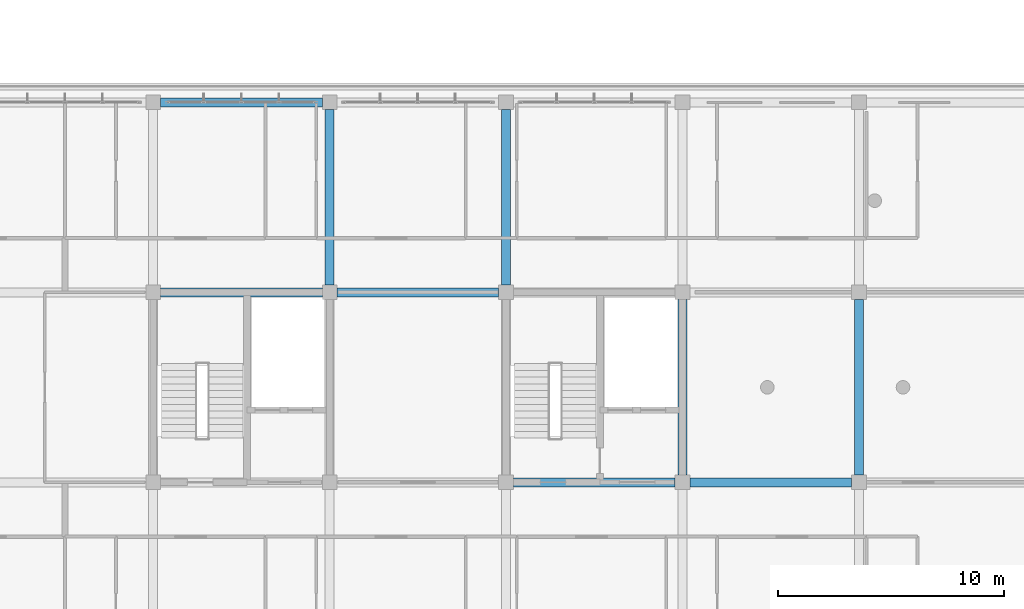
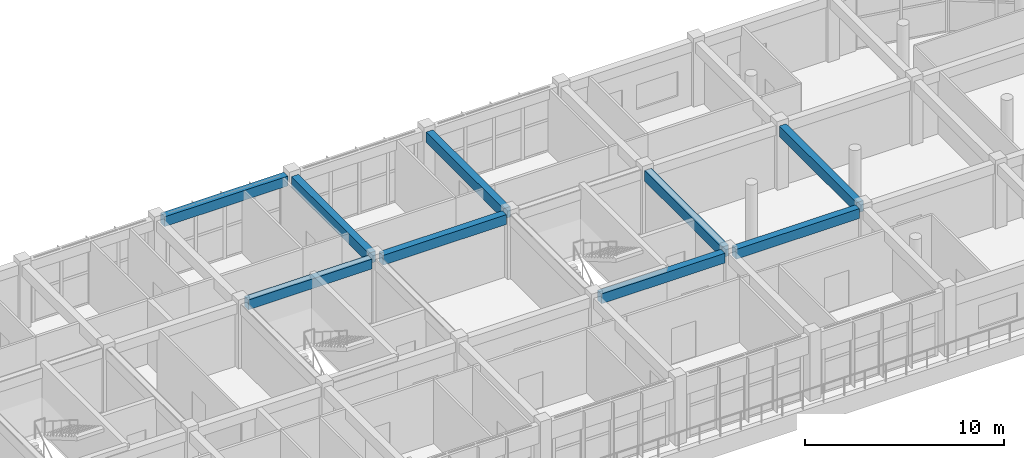
# One storey, part 24 of 57: 9 beams.
"""IFC4 building model written with IfcOpenShell, lengths in metres."""

from ifc_helpers import new_model, si_unit, direction, frame, origin, origin_2d, place, context, subcontext, project, spatial, rectangle, extrude, material, material_profile, profile_set, type_object, element, save


model = new_model("IFC4")

# Units and contexts
model_context = context("Model", 3, precision=1e-05, world=origin(), true_north=direction((0.0, 1.0)))
body_context = subcontext(model_context, "Body", "Model", "MODEL_VIEW")
ifc_project = project(units=[si_unit("LENGTHUNIT", "METRE"), si_unit("AREAUNIT", "SQUARE_METRE"), si_unit("VOLUMEUNIT", "CUBIC_METRE"), si_unit("PLANEANGLEUNIT", "RADIAN"), si_unit("MASSUNIT", "GRAM", prefix="KILO")], contexts=[model_context])

# Site, building, storey
site_placement = place(None, origin())
site = spatial("IfcSite", under=ifc_project, at=site_placement, CompositionType="ELEMENT")
building_placement = place(site_placement, origin())
building = spatial("IfcBuilding", under=site, at=building_placement, Name="Zizhar Promenade General Hospital", CompositionType="ELEMENT")
storey_placement = place(building_placement, frame((0.0, 0.0, 22.199951171875)))
storey = spatial("IfcBuildingStorey", under=building, at=storey_placement, Name="L05", CompositionType="ELEMENT", Elevation=22.199951171875)

# Beams
ifc_material_1 = material(Name="Concrete C35/45", Category="concrete")
ifc_material_profile_1 = material_profile(ifc_material_1, rectangle(XDim=0.39990234375, YDim=0.60009765625, at=origin_2d()))
ifc_profile_set_1 = profile_set([ifc_material_profile_1], Name="Concrete C35/45")
beam_type_1 = type_object("IfcBeamType", Name="BM-RC-400x600", PredefinedType="JOIST", material=ifc_profile_set_1)
for number, where, z_axis, x_axis, name in (
    (1, (78.324951171875, 16.800048828125, 3.610107421875), (1.0, 0.0, 0.0), (0.0, 1.0, 0.0), "Grid Beam X L05 (10-2)"),
    (2, (78.324951171875, 25.199951171875, 3.610107421875), (1.0, 0.0, 0.0), (0.0, 1.0, 0.0), "Grid Beam X L05 (10-3)"),
):
    element("IfcBeam", number, at=place(storey_placement, frame(where, z_axis=z_axis, x_axis=x_axis)), inside=storey, type_object=beam_type_1, Name=name, PredefinedType="JOIST", context=body_context, shape_type="SweptSolid", body=[
        extrude(rectangle(XDim=0.39990234375, YDim=0.60009765625, at=origin_2d()), origin(), (0.0, 0.0, 1.0), 7.150146484375),
    ])
for number, where, z_axis, x_axis, name in (
    (3, (86.125, 16.800048828125, 3.610107421875), (1.0, 0.0, 0.0), (0.0, 1.0, 0.0), "Grid Beam X L05 (11-2)"),
    (4, (93.925048828125, 8.39990234375, 3.610107421875), (1.0, 0.0, 0.0), (0.0, 1.0, 0.0), "Grid Beam X L05 (12-1)"),
    (5, (101.72509765625, 8.39990234375, 3.610107421875), (1.0, 0.0, 0.0), (0.0, 1.0, 0.0), "Grid Beam X L05 (13-1)"),
):
    element("IfcBeam", number, at=place(storey_placement, frame(where, z_axis=z_axis, x_axis=x_axis)), inside=storey, type_object=beam_type_1, Name=name, PredefinedType="JOIST", context=body_context, shape_type="SweptSolid", body=[
        extrude(rectangle(XDim=0.39990234375, YDim=0.60009765625, at=origin_2d()), origin(), (0.0, 0.0, 1.0), 7.14990234375),
    ])
ifc_material_2 = material(Name="Concrete C35/45", Category="concrete")
ifc_material_profile_2 = material_profile(ifc_material_2, rectangle(XDim=0.39990234375, YDim=0.64990234375, at=origin_2d()))
ifc_profile_set_2 = profile_set([ifc_material_profile_2], Name="Concrete C35/45")
beam_type_2 = type_object("IfcBeamType", Name="BM-RC-400x650", PredefinedType="BEAM", material=ifc_profile_set_2)
for number, where, z_axis, x_axis, name in (
    (6, (85.800048828125, 17.125, 3.5849609375), (0.0, 1.0, 0.0), (-1.0, 0.0, 0.0), "Grid Beam Y L05 (11-2)"),
    (7, (93.60009765625, 17.125, 3.5849609375), (0.0, 1.0, 0.0), (-1.0, 0.0, 0.0), "Grid Beam Y L05 (12-2)"),
    (8, (101.39990234375, 8.72509765625, 3.5849609375), (0.0, 1.0, 0.0), (-1.0, 0.0, 0.0), "Grid Beam Y L05 (13-1)"),
    (9, (109.199951171875, 8.72509765625, 3.5849609375), (0.0, 1.0, 0.0), (-1.0, 0.0, 0.0), "Grid Beam Y L05 (14-1)"),
):
    element("IfcBeam", number, at=place(storey_placement, frame(where, z_axis=z_axis, x_axis=x_axis)), inside=storey, type_object=beam_type_2, Name=name, PredefinedType="BEAM", context=body_context, shape_type="SweptSolid", body=[
        extrude(rectangle(XDim=0.39990234375, YDim=0.64990234375, at=origin_2d()), origin(), (0.0, 0.0, 1.0), 7.75),
    ])

save(model, "model.ifc")
